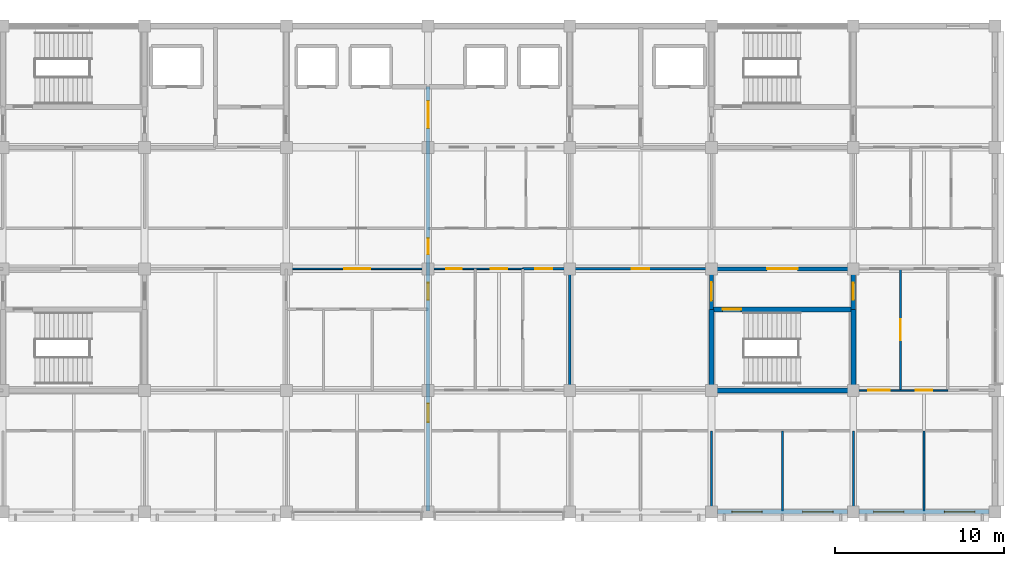
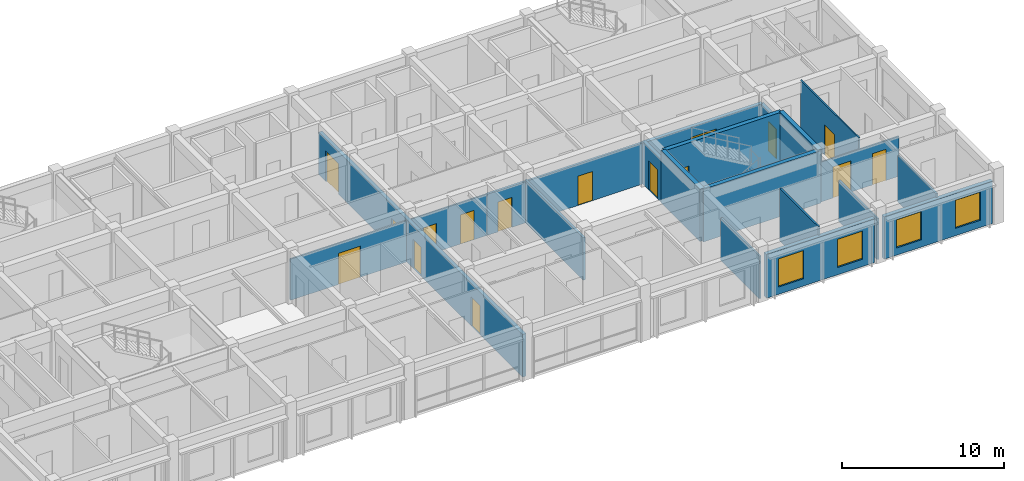
# One storey, part 14 of 19: 19 walls, 16 doors, 4 windows, 20 openings.
"""IFC4 building model written with IfcOpenShell, lengths in metres."""

import ifcopenshell
import ifcopenshell.guid

model = None  # the IFC model being written
_history = None  # IfcOwnerHistory: only IFC2X3 demands one
_inside = {}  # id of a spatial element -> (the spatial element, [elements in it])
_under = {}  # id of a project, library or spatial element -> (it, [spatial elements below it])
_declared = {}  # id of a project -> (the project, [libraries it declares])
_typed = {}  # id of a type object -> (the type object, [elements of that type])
_made_of = {}  # id of a material, layer set ... -> (it, [elements and type objects made of it])


def new_model(schema):
    """Start an empty IFC model of exactly this schema.

    Asked for "IFC4X3", IfcOpenShell would pick the latest addendum, in which some entities
    have other attributes; the version numbers below select the first issue.
    IFC2X3 requires an IfcOwnerHistory on every rooted entity: one is made here for all.
    """
    global model, _history
    if schema == "IFC4X3":
        model = ifcopenshell.file(schema_version=(4, 3, 0, 0))
    else:
        model = ifcopenshell.file(schema=schema)
    _inside.clear()
    _under.clear()
    _declared.clear()
    _typed.clear()
    _made_of.clear()
    _history = None
    if model.schema == "IFC2X3":
        org = make("IfcOrganization", Name="unknown")
        user = make(
            "IfcPersonAndOrganization",
            ThePerson=make("IfcPerson", FamilyName="unknown"),
            TheOrganization=org,
        )
        app = make(
            "IfcApplication",
            ApplicationDeveloper=org,
            Version="unknown",
            ApplicationFullName="unknown",
            ApplicationIdentifier="unknown",
        )
        _history = make(
            "IfcOwnerHistory",
            OwningUser=user,
            OwningApplication=app,
            ChangeAction="ADDED",
            CreationDate=0,
        )
    return model


def make(cls, **values):
    """One entity of the class cls with the attributes given. An attribute that is None is left unset."""
    return model.create_entity(
        cls, **{name: value for name, value in values.items() if value is not None}
    )


def rooted(cls, **values):
    """An entity with a GlobalId (a new one), such as an element, a storey or a relation."""
    return make(cls, GlobalId=ifcopenshell.guid.new(), OwnerHistory=_history, **values)


def si_unit(unit_type, name, prefix=None):
    """IfcSIUnit, for example si_unit("LENGTHUNIT", "METRE", prefix="MILLI")."""
    return make("IfcSIUnit", UnitType=unit_type, Prefix=prefix, Name=name)


def assignment(units):
    """IfcUnitAssignment: the units of a project."""
    return None if units is None else make("IfcUnitAssignment", Units=units)


def point(xyz):
    """IfcCartesianPoint."""
    return None if xyz is None else make("IfcCartesianPoint", Coordinates=xyz)


def direction(xyz):
    """IfcDirection."""
    return None if xyz is None else make("IfcDirection", DirectionRatios=xyz)


def frame(location, z_axis=None, x_axis=None):
    """IfcAxis2Placement3D, a coordinate frame: its origin and axes. An axis left out is left unset."""
    return make(
        "IfcAxis2Placement3D",
        Location=point(location),
        Axis=direction(z_axis),
        RefDirection=direction(x_axis),
    )


def frame_2d(location, x_axis=None):
    """IfcAxis2Placement2D, a coordinate frame in the plane: its origin and x axis."""
    return make(
        "IfcAxis2Placement2D", Location=point(location), RefDirection=direction(x_axis)
    )


def origin():
    """The frame at (0, 0, 0) with its axes left unset."""
    return frame((0.0, 0.0, 0.0))


def place(relative_to, where):
    """IfcLocalPlacement: puts the frame where relative to a parent placement (None: the world)."""
    return make(
        "IfcLocalPlacement", PlacementRelTo=relative_to, RelativePlacement=where
    )


def context(
    kind, dimensions, precision=None, world=None, true_north=None, identifier=None
):
    """IfcGeometricRepresentationContext, for example the 3D "Model" context."""
    return make(
        "IfcGeometricRepresentationContext",
        ContextIdentifier=identifier,
        ContextType=kind,
        CoordinateSpaceDimension=dimensions,
        Precision=precision,
        WorldCoordinateSystem=world,
        TrueNorth=true_north,
    )


def subcontext(parent, identifier, kind, view, scale=None):
    """IfcGeometricRepresentationSubContext, for example "Body" below "Model"."""
    return make(
        "IfcGeometricRepresentationSubContext",
        ContextIdentifier=identifier,
        ContextType=kind,
        ParentContext=parent,
        TargetScale=scale,
        TargetView=view,
    )


def project(units=None, contexts=None):
    """IfcProject with its units and contexts."""
    return rooted(
        "IfcProject",
        Name="project",
        RepresentationContexts=contexts,
        UnitsInContext=assignment(units),
    )


def spatial(cls, under=None, at=None, **own):
    """A site, building, storey or space (cls), placed at a placement, below another one or the project."""
    s = rooted(cls, ObjectPlacement=at, **own)
    if under is not None:
        _under.setdefault(under.id(), (under, []))[1].append(s)
    return s


def profile(cls, at=None, kind="AREA", **sizes):
    """A parametric profile (cls). Its sizes go by their IFC names, for example OverallWidth=200.0."""
    return make(cls, ProfileType=kind, Position=at, **sizes)


def rectangle(**sizes):
    """IfcRectangleProfileDef."""
    return profile("IfcRectangleProfileDef", **sizes)


def extrude(swept, where, along, depth):
    """IfcExtrudedAreaSolid: the profile swept, set in the frame where, extruded along a direction by depth."""
    return make(
        "IfcExtrudedAreaSolid",
        SweptArea=swept,
        Position=where,
        ExtrudedDirection=direction(along),
        Depth=depth,
    )


def shape(context_of_items, identifier, shape_type, items):
    """IfcShapeRepresentation: the items that make up one representation, for example the "Body"."""
    return make(
        "IfcShapeRepresentation",
        ContextOfItems=context_of_items,
        RepresentationIdentifier=identifier,
        RepresentationType=shape_type,
        Items=items,
    )


def material(Name=None, Category=None):
    """IfcMaterial."""
    return make("IfcMaterial", Name=Name, Category=Category)


def layer(
    of_material, thickness, ventilated=None, Name=None, Category=None, Priority=None
):
    """IfcMaterialLayer: one layer of a wall or slab, of a material (None: an air gap)."""
    return make(
        "IfcMaterialLayer",
        Material=of_material,
        LayerThickness=thickness,
        IsVentilated=ventilated,
        Name=Name,
        Category=Category,
        Priority=Priority,
    )


def layer_set(layers, Name=None):
    """IfcMaterialLayerSet."""
    return make("IfcMaterialLayerSet", MaterialLayers=layers, LayerSetName=Name)


def made_of(thing, what):
    """Note that an element or type object is made of a material, layer set ...; save() writes the relation."""
    if what is not None:
        _made_of.setdefault(what.id(), (what, []))[1].append(thing)
    return thing


def type_object(cls, material=None, **own):
    """A type object (cls), such as IfcWallType, which elements share."""
    return made_of(rooted(cls, **own), material)


def element(
    cls,
    number,
    at=None,
    inside=None,
    cuts=None,
    type_object=None,
    material=None,
    context=None,
    identifier="Body",
    shape_type=None,
    held_by="IfcProductDefinitionShape",
    body=None,
    shapes=None,
    **own,
):
    """One element of the class cls, such as IfcWall. Its Tag is "e" and its number.

    at: its placement. inside: the storey or other place that contains it. cuts: it is an
    opening in that element (IfcRelVoidsElement). A single representation is given by context,
    identifier, shape_type and body (its items); several are given by shapes. held_by: the class
    of the entity that holds the representations. save() writes the other relations.
    """
    e = rooted(cls, Tag="e%d" % number, ObjectPlacement=at, **own)
    if body is not None:
        shapes = [shape(context, identifier, shape_type, body)]
    if shapes is not None:
        e.Representation = make(held_by, Representations=shapes)
    if inside is not None:
        _inside.setdefault(inside.id(), (inside, []))[1].append(e)
    if cuts is not None:
        rooted(
            "IfcRelVoidsElement", RelatingBuildingElement=cuts, RelatedOpeningElement=e
        )
    if type_object is not None:
        _typed.setdefault(type_object.id(), (type_object, []))[1].append(e)
    return made_of(e, material)


def fill(opening, filler):
    """IfcRelFillsElement: the door or window that sits in an opening."""
    return rooted(
        "IfcRelFillsElement",
        RelatingOpeningElement=opening,
        RelatedBuildingElement=filler,
    )


def aggregate(whole, parts):
    """IfcRelAggregates: a whole, such as a stair, and the parts it consists of."""
    return rooted("IfcRelAggregates", RelatingObject=whole, RelatedObjects=parts)


def save(model, path):
    """Write the relations noted so far, then the file.

    IfcRelAggregates (storeys below a building ...), IfcRelContainedInSpatialStructure (elements
    in a storey), IfcRelDefinesByType, IfcRelAssociatesMaterial and IfcRelDeclares: one each for
    every whole, place, type object, material and project.
    """
    for whole, parts in _under.values():
        aggregate(whole, parts)
    for where, things in _inside.values():
        rooted(
            "IfcRelContainedInSpatialStructure",
            RelatedElements=things,
            RelatingStructure=where,
        )
    for kind, things in _typed.values():
        rooted("IfcRelDefinesByType", RelatedObjects=things, RelatingType=kind)
    for what, things in _made_of.values():
        rooted("IfcRelAssociatesMaterial", RelatedObjects=things, RelatingMaterial=what)
    for by, libraries in _declared.values():
        rooted("IfcRelDeclares", RelatingContext=by, RelatedDefinitions=libraries)
    model.write(path)


model = new_model("IFC4")

# Units and contexts
model_context = context("Model", 3, precision=1e-05, world=origin(), true_north=direction((0.0, 1.0)))
body_context = subcontext(model_context, "Body", "Model", "MODEL_VIEW")
ifc_project = project(units=[si_unit("LENGTHUNIT", "METRE"), si_unit("AREAUNIT", "SQUARE_METRE"), si_unit("VOLUMEUNIT", "CUBIC_METRE"), si_unit("PLANEANGLEUNIT", "RADIAN"), si_unit("MASSUNIT", "GRAM", prefix="KILO")], contexts=[model_context])

# Site, building, storey
site_placement = place(None, origin())
site = spatial("IfcSite", under=ifc_project, at=site_placement, CompositionType="ELEMENT")
building_placement = place(site_placement, origin())
building = spatial("IfcBuilding", under=site, at=building_placement, Name="Chengyuan Square Courthouse", CompositionType="ELEMENT")
storey_placement = place(building_placement, frame((0.0, 0.0, 56.10009765625)))
storey = spatial("IfcBuildingStorey", under=building, at=storey_placement, Name="L13", CompositionType="ELEMENT", Elevation=56.10009765625)

# Wall, openings, windows
ifc_material_1 = material(Name="Concrete C40", Category="concrete")
ifc_layer_1 = layer(ifc_material_1, 0.280029296875)
ifc_layer_set_1 = layer_set([ifc_layer_1], Name="Concrete C40")
wall_type_1 = type_object("IfcWallType", Name="WL-EW4", PredefinedType="STANDARD", material=ifc_layer_set_1)
wall_1_placement = place(storey_placement, frame((101.14501953125, 79.199951171875, 0.0), z_axis=(0.0, 0.0, 1.0), x_axis=(1.0, 0.0, 0.0)))
wall_1 = element("IfcWall", 1, at=wall_1_placement, inside=storey, type_object=wall_type_1, Name="Exterior Wall WL-L13-E501", PredefinedType="STANDARD", context=body_context, shape_type="SweptSolid", body=[
    extrude(rectangle(XDim=7.7099609375, YDim=0.280029296875, at=frame_2d((3.85498046875, 0.0))), origin(), (0.0, 0.0, 1.0), 3.309814453125),
])
opening_1_placement = place(wall_1_placement, frame((0.85498046875, 0.0, 0.550048828125)))
opening_1 = element("IfcOpeningElement", 2, at=opening_1_placement, cuts=wall_1, Name="Opening WN-232", PredefinedType="OPENING", context=body_context, shape_type="SweptSolid", body=[
    extrude(rectangle(XDim=1.800048828125, YDim=2.1201171875, at=frame_2d((0.89990234375, 1.06005859375))), frame((0.0, 0.152099609375, 0.0), z_axis=(0.0, -1.0, 0.0), x_axis=(1.0, 0.0, 0.0)), (0.0, 0.0, 1.0), 0.303955078125),
])
opening_2_placement = place(wall_1_placement, frame((5.054931640625, 0.0, 0.550048828125)))
opening_2 = element("IfcOpeningElement", 3, at=opening_2_placement, cuts=wall_1, Name="Opening WN-233", PredefinedType="OPENING", context=body_context, shape_type="SweptSolid", body=[
    extrude(rectangle(XDim=1.800048828125, YDim=2.1201171875, at=frame_2d((0.89990234375, 1.06005859375))), frame((0.0, 0.152099609375, 0.0), z_axis=(0.0, -1.0, 0.0), x_axis=(1.0, 0.0, 0.0)), (0.0, 0.0, 1.0), 0.303955078125),
])
ifc_material_2 = material(Name="Thermally Broken Aluminium Triple Low-E Window", Category="aluminium")
window_type = type_object("IfcWindowType", Name="WT-36", PartitioningType="SINGLE_PANEL", PredefinedType="WINDOW", material=ifc_material_2)
window_1_placement = place(opening_1_placement, origin())
window_1 = element("IfcWindow", 4, at=window_1_placement, inside=storey, type_object=window_type, Name="Facade Window WN-232", OverallHeight=2.1201171875, OverallWidth=1.800048828125, PartitioningType="SINGLE_PANEL", PredefinedType="WINDOW", context=body_context, shape_type="SweptSolid", body=[
    extrude(rectangle(XDim=1.800048828125, YDim=2.1201171875, at=frame_2d((0.89990234375, 1.06005859375))), frame((0.0, 0.030029296875, 0.0), z_axis=(0.0, -1.0, 0.0), x_axis=(1.0, 0.0, 0.0)), (0.0, 0.0, 1.0), 0.06005859375),
])
fill(opening_1, window_1)
window_2_placement = place(opening_2_placement, origin())
window_2 = element("IfcWindow", 5, at=window_2_placement, inside=storey, type_object=window_type, Name="Facade Window WN-233", OverallHeight=2.1201171875, OverallWidth=1.800048828125, PartitioningType="SINGLE_PANEL", PredefinedType="WINDOW", context=body_context, shape_type="SweptSolid", body=[
    extrude(rectangle(XDim=1.800048828125, YDim=2.1201171875, at=frame_2d((0.89990234375, 1.06005859375))), frame((0.0, 0.030029296875, 0.0), z_axis=(0.0, -1.0, 0.0), x_axis=(1.0, 0.0, 0.0)), (0.0, 0.0, 1.0), 0.06005859375),
])
fill(opening_2, window_2)

wall_2_placement = place(storey_placement, frame((109.544921875, 79.199951171875, 0.0), z_axis=(0.0, 0.0, 1.0), x_axis=(1.0, 0.0, 0.0)))
wall_2 = element("IfcWall", 6, at=wall_2_placement, inside=storey, type_object=wall_type_1, Name="Exterior Wall WL-L13-E503", PredefinedType="STANDARD", context=body_context, shape_type="SweptSolid", body=[
    extrude(rectangle(XDim=7.7099609375, YDim=0.280029296875, at=frame_2d((3.85498046875, 0.0))), origin(), (0.0, 0.0, 1.0), 3.199951171875),
])
opening_3_placement = place(wall_2_placement, frame((0.85498046875, 0.0, 0.550048828125)))
opening_3 = element("IfcOpeningElement", 7, at=opening_3_placement, cuts=wall_2, Name="Opening WN-234", PredefinedType="OPENING", context=body_context, shape_type="SweptSolid", body=[
    extrude(rectangle(XDim=1.800048828125, YDim=2.1201171875, at=frame_2d((0.89990234375, 1.06005859375))), frame((0.0, 0.152099609375, 0.0), z_axis=(0.0, -1.0, 0.0), x_axis=(1.0, 0.0, 0.0)), (0.0, 0.0, 1.0), 0.303955078125),
])
opening_4_placement = place(wall_2_placement, frame((5.054931640625, 0.0, 0.550048828125)))
opening_4 = element("IfcOpeningElement", 8, at=opening_4_placement, cuts=wall_2, Name="Opening WN-235", PredefinedType="OPENING", context=body_context, shape_type="SweptSolid", body=[
    extrude(rectangle(XDim=1.800048828125, YDim=2.1201171875, at=frame_2d((0.89990234375, 1.06005859375))), frame((0.0, 0.152099609375, 0.0), z_axis=(0.0, -1.0, 0.0), x_axis=(1.0, 0.0, 0.0)), (0.0, 0.0, 1.0), 0.303955078125),
])
window_3_placement = place(opening_3_placement, origin())
window_3 = element("IfcWindow", 9, at=window_3_placement, inside=storey, type_object=window_type, Name="Facade Window WN-234", OverallHeight=2.1201171875, OverallWidth=1.800048828125, PartitioningType="SINGLE_PANEL", PredefinedType="WINDOW", context=body_context, shape_type="SweptSolid", body=[
    extrude(rectangle(XDim=1.800048828125, YDim=2.1201171875, at=frame_2d((0.89990234375, 1.06005859375))), frame((0.0, 0.030029296875, 0.0), z_axis=(0.0, -1.0, 0.0), x_axis=(1.0, 0.0, 0.0)), (0.0, 0.0, 1.0), 0.06005859375),
])
fill(opening_3, window_3)
window_4_placement = place(opening_4_placement, origin())
window_4 = element("IfcWindow", 10, at=window_4_placement, inside=storey, type_object=window_type, Name="Facade Window WN-235", OverallHeight=2.1201171875, OverallWidth=1.800048828125, PartitioningType="SINGLE_PANEL", PredefinedType="WINDOW", context=body_context, shape_type="SweptSolid", body=[
    extrude(rectangle(XDim=1.800048828125, YDim=2.1201171875, at=frame_2d((0.89990234375, 1.06005859375))), frame((0.0, 0.030029296875, 0.0), z_axis=(0.0, -1.0, 0.0), x_axis=(1.0, 0.0, 0.0)), (0.0, 0.0, 1.0), 0.06005859375),
])
fill(opening_4, window_4)

# Wall, opening, door
ifc_layer_2 = layer(ifc_material_1, 0.25)
ifc_layer_set_2 = layer_set([ifc_layer_2], Name="Concrete C40")
wall_type_2 = type_object("IfcWallType", Name="WL-FW1", PredefinedType="STANDARD", material=ifc_layer_set_2)
wall_3_placement = place(storey_placement, frame((100.800048828125, 93.60009765625, 0.0), z_axis=(0.0, 0.0, 1.0), x_axis=(1.0, 0.0, 0.0)))
wall_3 = element("IfcWall", 11, at=wall_3_placement, inside=storey, type_object=wall_type_2, Name="Interior Wall WL-L13-I3788", PredefinedType="STANDARD", context=body_context, shape_type="SweptSolid", body=[
    extrude(rectangle(XDim=8.39990234375, YDim=0.25, at=frame_2d((4.199951171875, 0.0))), origin(), (0.0, 0.0, 1.0), 3.10986328125),
])
opening_5_placement = place(wall_3_placement, frame((3.300048828125, 0.0, 0.0)))
opening_5 = element("IfcOpeningElement", 12, at=opening_5_placement, cuts=wall_3, Name="Opening DR-3136", PredefinedType="OPENING", context=body_context, shape_type="SweptSolid", body=[
    extrude(rectangle(XDim=1.800048828125, YDim=2.35009765625, at=frame_2d((0.89990234375, 1.175048828125))), frame((0.0, 0.136962890625, 0.0), z_axis=(0.0, -1.0, 0.0), x_axis=(1.0, 0.0, 0.0)), (0.0, 0.0, 1.0), 0.27392578125),
])
ifc_material_3 = material(Name="Steel Q235B Glazed Fire Door", Category="steel")
door_type_1 = type_object("IfcDoorType", Name="DT-18", OperationType="DOUBLE_DOOR_SINGLE_SWING", PredefinedType="DOOR", material=ifc_material_3)
door_1_placement = place(opening_5_placement, frame((1.800048828125, 0.0, 0.0), z_axis=(0.0, 0.0, 1.0), x_axis=(-1.0, 0.0, 0.0)))
door_1 = element("IfcDoor", 13, at=door_1_placement, inside=storey, type_object=door_type_1, Name="Interior Door DR-3136", OperationType="DOUBLE_DOOR_SINGLE_SWING", OverallHeight=2.35009765625, OverallWidth=1.800048828125, PredefinedType="DOOR", context=body_context, shape_type="SweptSolid", body=[
    extrude(rectangle(XDim=1.800048828125, YDim=2.35009765625, at=frame_2d((0.89990234375, 1.175048828125))), frame((0.0, 0.02490234375, 0.0), z_axis=(0.0, -1.0, 0.0), x_axis=(1.0, 0.0, 0.0)), (0.0, 0.0, 1.0), 0.050048828125),
])
fill(opening_5, door_1)

# Wall, openings, doors
wall_4_placement = place(storey_placement, frame((84.0, 79.239990234375, 0.0), z_axis=(0.0, 0.0, 1.0), x_axis=(0.0, 1.0, 0.0)))
wall_4 = element("IfcWall", 14, at=wall_4_placement, inside=storey, type_object=wall_type_2, Name="Interior Wall WL-L13-I3860", PredefinedType="STANDARD", context=body_context, shape_type="SweptSolid", body=[
    extrude(rectangle(XDim=25.159912109375, YDim=0.25, at=frame_2d((12.580078125, 0.0))), origin(), (0.0, 0.0, 1.0), 3.2099609375),
])
opening_6_placement = place(wall_4_placement, frame((22.695068359375, 0.0, 0.0)))
opening_6 = element("IfcOpeningElement", 15, at=opening_6_placement, cuts=wall_4, Name="Opening DR-3147", PredefinedType="OPENING", context=body_context, shape_type="SweptSolid", body=[
    extrude(rectangle(XDim=1.60009765625, YDim=2.300048828125, at=frame_2d((0.800048828125, 1.14990234375))), frame((0.0, 0.136962890625, 0.0), z_axis=(0.0, -1.0, 0.0), x_axis=(1.0, 0.0, 0.0)), (0.0, 0.0, 1.0), 0.27392578125),
])
opening_7_placement = place(wall_4_placement, frame((12.52490234375, 0.0, 0.0)))
opening_7 = element("IfcOpeningElement", 16, at=opening_7_placement, cuts=wall_4, Name="Opening DR-3165", PredefinedType="OPENING", context=body_context, shape_type="SweptSolid", body=[
    extrude(rectangle(XDim=1.0, YDim=2.199951171875, at=frame_2d((0.5, 1.10009765625))), frame((0.0, 0.136962890625, 0.0), z_axis=(0.0, -1.0, 0.0), x_axis=(1.0, 0.0, 0.0)), (0.0, 0.0, 1.0), 0.27392578125),
])
opening_8_placement = place(wall_4_placement, frame((15.219970703125, 0.0, 0.0)))
opening_8 = element("IfcOpeningElement", 17, at=opening_8_placement, cuts=wall_4, Name="Opening DR-3166", PredefinedType="OPENING", context=body_context, shape_type="SweptSolid", body=[
    extrude(rectangle(XDim=0.949951171875, YDim=2.14990234375, at=frame_2d((0.47509765625, 1.074951171875))), frame((0.0, 0.136962890625, 0.0), z_axis=(0.0, -1.0, 0.0), x_axis=(1.0, 0.0, 0.0)), (0.0, 0.0, 1.0), 0.27392578125),
])
opening_9_placement = place(wall_4_placement, frame((5.27490234375, 0.0, 0.0)))
opening_9 = element("IfcOpeningElement", 18, at=opening_9_placement, cuts=wall_4, Name="Opening DR-3215", PredefinedType="OPENING", context=body_context, shape_type="SweptSolid", body=[
    extrude(rectangle(XDim=1.10009765625, YDim=2.199951171875, at=frame_2d((0.550048828125, 1.10009765625))), frame((0.0, 0.136962890625, 0.0), z_axis=(0.0, -1.0, 0.0), x_axis=(1.0, 0.0, 0.0)), (0.0, 0.0, 1.0), 0.27392578125),
])
ifc_material_4 = material(Name="Steel Q235B Fire Door", Category="steel")
door_type_2 = type_object("IfcDoorType", Name="DT-10", OperationType="NOTDEFINED", PredefinedType="DOOR", material=ifc_material_4)
door_2_placement = place(opening_9_placement, origin())
door_2 = element("IfcDoor", 19, at=door_2_placement, inside=storey, type_object=door_type_2, Name="Interior Door DR-3215", OperationType="SINGLE_SWING_RIGHT", OverallHeight=2.199951171875, OverallWidth=1.10009765625, PredefinedType="DOOR", context=body_context, shape_type="SweptSolid", body=[
    extrude(rectangle(XDim=1.10009765625, YDim=2.199951171875, at=frame_2d((0.550048828125, 1.10009765625))), frame((0.0, 0.02490234375, 0.0), z_axis=(0.0, -1.0, 0.0), x_axis=(1.0, 0.0, 0.0)), (0.0, 0.0, 1.0), 0.050048828125),
])
fill(opening_9, door_2)
door_type_3 = type_object("IfcDoorType", Name="DT-11", OperationType="NOTDEFINED", PredefinedType="DOOR", material=ifc_material_4)
door_3_placement = place(opening_7_placement, origin())
door_3 = element("IfcDoor", 20, at=door_3_placement, inside=storey, type_object=door_type_3, Name="Interior Door DR-3165", OperationType="SINGLE_SWING_RIGHT", OverallHeight=2.199951171875, OverallWidth=1.0, PredefinedType="DOOR", context=body_context, shape_type="SweptSolid", body=[
    extrude(rectangle(XDim=1.0, YDim=2.199951171875, at=frame_2d((0.5, 1.10009765625))), frame((0.0, 0.02490234375, 0.0), z_axis=(0.0, -1.0, 0.0), x_axis=(1.0, 0.0, 0.0)), (0.0, 0.0, 1.0), 0.050048828125),
])
fill(opening_7, door_3)
door_type_4 = type_object("IfcDoorType", Name="DT-12", OperationType="NOTDEFINED", PredefinedType="DOOR", material=ifc_material_4)
door_4_placement = place(opening_8_placement, origin())
door_4 = element("IfcDoor", 21, at=door_4_placement, inside=storey, type_object=door_type_4, Name="Interior Door DR-3166", OperationType="SINGLE_SWING_LEFT", OverallHeight=2.14990234375, OverallWidth=0.949951171875, PredefinedType="DOOR", context=body_context, shape_type="SweptSolid", body=[
    extrude(rectangle(XDim=0.949951171875, YDim=2.14990234375, at=frame_2d((0.47509765625, 1.074951171875))), frame((0.0, 0.02490234375, 0.0), z_axis=(0.0, -1.0, 0.0), x_axis=(1.0, 0.0, 0.0)), (0.0, 0.0, 1.0), 0.050048828125),
])
fill(opening_8, door_4)
door_type_5 = type_object("IfcDoorType", Name="DT-17", OperationType="DOUBLE_DOOR_SINGLE_SWING", PredefinedType="DOOR", material=ifc_material_3)
door_5_placement = place(opening_6_placement, frame((1.60009765625, 0.0, 0.0), z_axis=(0.0, 0.0, 1.0), x_axis=(-1.0, 0.0, 0.0)))
door_5 = element("IfcDoor", 22, at=door_5_placement, inside=storey, type_object=door_type_5, Name="Interior Door DR-3147", OperationType="DOUBLE_DOOR_SINGLE_SWING", OverallHeight=2.300048828125, OverallWidth=1.60009765625, PredefinedType="DOOR", context=body_context, shape_type="SweptSolid", body=[
    extrude(rectangle(XDim=1.60009765625, YDim=2.300048828125, at=frame_2d((0.800048828125, 1.14990234375))), frame((0.0, 0.02490234375, 0.0), z_axis=(0.0, -1.0, 0.0), x_axis=(1.0, 0.0, 0.0)), (0.0, 0.0, 1.0), 0.050048828125),
])
fill(opening_6, door_5)

# Wall, opening, door
wall_5_placement = place(storey_placement, frame((100.800048828125, 91.199951171875, 0.0), z_axis=(0.0, 0.0, 1.0), x_axis=(0.0, 1.0, 0.0)))
wall_5 = element("IfcWall", 23, at=wall_5_placement, inside=storey, type_object=wall_type_2, Name="Interior Wall WL-L13-I3882", PredefinedType="STANDARD", context=body_context, shape_type="SweptSolid", body=[
    extrude(rectangle(XDim=2.400146484375, YDim=0.25, at=frame_2d((1.2001953125, 0.0))), origin(), (0.0, 0.0, 1.0), 3.2099609375),
])
opening_10_placement = place(wall_5_placement, frame((0.514892578125, 0.0, 0.0)))
opening_10 = element("IfcOpeningElement", 24, at=opening_10_placement, cuts=wall_5, Name="Opening DR-3137", PredefinedType="OPENING", context=body_context, shape_type="SweptSolid", body=[
    extrude(rectangle(XDim=1.10009765625, YDim=2.199951171875, at=frame_2d((0.550048828125, 1.10009765625))), frame((0.0, 0.136962890625, 0.0), z_axis=(0.0, -1.0, 0.0), x_axis=(1.0, 0.0, 0.0)), (0.0, 0.0, 1.0), 0.27392578125),
])
door_6_placement = place(opening_10_placement, origin())
door_6 = element("IfcDoor", 25, at=door_6_placement, inside=storey, type_object=door_type_2, Name="Interior Door DR-3137", OperationType="SINGLE_SWING_RIGHT", OverallHeight=2.199951171875, OverallWidth=1.10009765625, PredefinedType="DOOR", context=body_context, shape_type="SweptSolid", body=[
    extrude(rectangle(XDim=1.10009765625, YDim=2.199951171875, at=frame_2d((0.550048828125, 1.10009765625))), frame((0.0, 0.02490234375, 0.0), z_axis=(0.0, -1.0, 0.0), x_axis=(1.0, 0.0, 0.0)), (0.0, 0.0, 1.0), 0.050048828125),
])
fill(opening_10, door_6)

wall_6_placement = place(storey_placement, frame((109.199951171875, 91.199951171875, 0.0), z_axis=(0.0, 0.0, 1.0), x_axis=(0.0, 1.0, 0.0)))
wall_6 = element("IfcWall", 26, at=wall_6_placement, inside=storey, type_object=wall_type_2, Name="Interior Wall WL-L13-I3890", PredefinedType="STANDARD", context=body_context, shape_type="SweptSolid", body=[
    extrude(rectangle(XDim=2.400146484375, YDim=0.25, at=frame_2d((1.2001953125, 0.0))), origin(), (0.0, 0.0, 1.0), 3.099853515625),
])
opening_11_placement = place(wall_6_placement, frame((0.56494140625, 0.0, 0.0)))
opening_11 = element("IfcOpeningElement", 27, at=opening_11_placement, cuts=wall_6, Name="Opening DR-3138", PredefinedType="OPENING", context=body_context, shape_type="SweptSolid", body=[
    extrude(rectangle(XDim=1.0, YDim=2.199951171875, at=frame_2d((0.5, 1.10009765625))), frame((0.0, 0.136962890625, 0.0), z_axis=(0.0, -1.0, 0.0), x_axis=(1.0, 0.0, 0.0)), (0.0, 0.0, 1.0), 0.27392578125),
])
door_7_placement = place(opening_11_placement, origin())
door_7 = element("IfcDoor", 28, at=door_7_placement, inside=storey, type_object=door_type_3, Name="Interior Door DR-3138", OperationType="SINGLE_SWING_LEFT", OverallHeight=2.199951171875, OverallWidth=1.0, PredefinedType="DOOR", context=body_context, shape_type="SweptSolid", body=[
    extrude(rectangle(XDim=1.0, YDim=2.199951171875, at=frame_2d((0.5, 1.10009765625))), frame((0.0, 0.02490234375, 0.0), z_axis=(0.0, -1.0, 0.0), x_axis=(1.0, 0.0, 0.0)), (0.0, 0.0, 1.0), 0.050048828125),
])
fill(opening_11, door_7)

# Wall, openings, doors
ifc_material_5 = material(Name="Deliberation Room Sound-Insulated Partition")
ifc_layer_3 = layer(ifc_material_5, 0.14990234375)
ifc_layer_set_3 = layer_set([ifc_layer_3], Name="Deliberation Room Sound-Insulated Partition")
wall_type_3 = type_object("IfcWallType", Name="WL-PT3", PredefinedType="STANDARD", material=ifc_layer_set_3)
wall_7_placement = place(storey_placement, frame((89.60009765625, 93.60009765625, 0.0), z_axis=(0.0, 0.0, 1.0), x_axis=(1.0, 0.0, 0.0)))
wall_7 = element("IfcWall", 29, at=wall_7_placement, inside=storey, type_object=wall_type_3, Name="Interior Wall WL-L13-I3787", PredefinedType="STANDARD", context=body_context, shape_type="SweptSolid", body=[
    extrude(rectangle(XDim=11.199951171875, YDim=0.14990234375, at=frame_2d((5.60009765625, 0.0))), origin(), (0.0, 0.0, 1.0), 3.10986328125),
])
opening_12_placement = place(wall_7_placement, frame((0.764892578125, 0.0, 0.0)))
opening_12 = element("IfcOpeningElement", 30, at=opening_12_placement, cuts=wall_7, Name="Opening DR-3187", PredefinedType="OPENING", context=body_context, shape_type="SweptSolid", body=[
    extrude(rectangle(XDim=1.0, YDim=2.25, at=frame_2d((0.5, 1.125))), frame((0.0, 0.0869140625, 0.0), z_axis=(0.0, -1.0, 0.0), x_axis=(1.0, 0.0, 0.0)), (0.0, 0.0, 1.0), 0.173828125),
])
opening_13_placement = place(wall_7_placement, frame((6.47998046875, 0.0, 0.0)))
opening_13 = element("IfcOpeningElement", 31, at=opening_13_placement, cuts=wall_7, Name="Opening DR-3188", PredefinedType="OPENING", context=body_context, shape_type="SweptSolid", body=[
    extrude(rectangle(XDim=1.0400390625, YDim=2.199951171875, at=frame_2d((0.52001953125, 1.10009765625))), frame((0.0, 0.0869140625, 0.0), z_axis=(0.0, -1.0, 0.0), x_axis=(1.0, 0.0, 0.0)), (0.0, 0.0, 1.0), 0.173828125),
])
ifc_material_6 = material(Name="Acoustic Solid-Core Timber Door", Category="wood")
door_type_6 = type_object("IfcDoorType", Name="DT-31", OperationType="NOTDEFINED", PredefinedType="DOOR", material=ifc_material_6)
door_8_placement = place(opening_12_placement, origin())
door_8 = element("IfcDoor", 32, at=door_8_placement, inside=storey, type_object=door_type_6, Name="Interior Door DR-3187", OperationType="SINGLE_SWING_RIGHT", OverallHeight=2.25, OverallWidth=1.0, PredefinedType="DOOR", context=body_context, shape_type="SweptSolid", body=[
    extrude(rectangle(XDim=1.0, YDim=2.25, at=frame_2d((0.5, 1.125))), frame((0.0, 0.02490234375, 0.0), z_axis=(0.0, -1.0, 0.0), x_axis=(1.0, 0.0, 0.0)), (0.0, 0.0, 1.0), 0.050048828125),
])
fill(opening_12, door_8)
door_type_7 = type_object("IfcDoorType", Name="DT-32", OperationType="NOTDEFINED", PredefinedType="DOOR", material=ifc_material_6)
door_9_placement = place(opening_13_placement, origin())
door_9 = element("IfcDoor", 33, at=door_9_placement, inside=storey, type_object=door_type_7, Name="Interior Door DR-3188", OperationType="SINGLE_SWING_LEFT", OverallHeight=2.199951171875, OverallWidth=1.0400390625, PredefinedType="DOOR", context=body_context, shape_type="SweptSolid", body=[
    extrude(rectangle(XDim=1.0400390625, YDim=2.199951171875, at=frame_2d((0.52001953125, 1.10009765625))), frame((0.0, 0.02490234375, 0.0), z_axis=(0.0, -1.0, 0.0), x_axis=(1.0, 0.0, 0.0)), (0.0, 0.0, 1.0), 0.050048828125),
])
fill(opening_13, door_9)

# Walls
wall_8_placement = place(storey_placement, frame((92.39990234375, 86.39990234375, 0.0), z_axis=(0.0, 0.0, 1.0), x_axis=(0.0, 1.0, 0.0)))
element("IfcWall", 34, at=wall_8_placement, inside=storey, type_object=wall_type_3, Name="Interior Wall WL-L13-I3871", PredefinedType="STANDARD", context=body_context, shape_type="SweptSolid", body=[
    extrude(rectangle(XDim=7.2001953125, YDim=0.14990234375, at=frame_2d((3.60009765625, 0.0))), origin(), (0.0, 0.0, 1.0), 3.2099609375),
])
ifc_material_7 = material(Name="Judges Chambers Gypsum Stud Partition")
ifc_layer_4 = layer(ifc_material_7, 0.1201171875)
ifc_layer_set_4 = layer_set([ifc_layer_4], Name="Judges Chambers Gypsum Stud Partition")
wall_type_4 = type_object("IfcWallType", Name="WL-PT5", PredefinedType="STANDARD", material=ifc_layer_set_4)
wall_9_placement = place(storey_placement, frame((100.800048828125, 79.239990234375, 0.0), z_axis=(0.0, 0.0, 1.0), x_axis=(0.0, 1.0, 0.0)))
element("IfcWall", 35, at=wall_9_placement, inside=storey, type_object=wall_type_4, Name="Interior Wall WL-L13-I3880", PredefinedType="STANDARD", context=body_context, shape_type="SweptSolid", body=[
    extrude(rectangle(XDim=4.760009765625, YDim=0.1201171875, at=frame_2d((2.3798828125, 0.0))), origin(), (0.0, 0.0, 1.0), 3.2099609375),
])
wall_10_placement = place(storey_placement, frame((105.0, 79.239990234375, 0.0), z_axis=(0.0, 0.0, 1.0), x_axis=(0.0, 1.0, 0.0)))
element("IfcWall", 36, at=wall_10_placement, inside=storey, type_object=wall_type_4, Name="Interior Wall WL-L13-I3887", PredefinedType="STANDARD", context=body_context, shape_type="SweptSolid", body=[
    extrude(rectangle(XDim=4.760009765625, YDim=0.1201171875, at=frame_2d((2.3798828125, 0.0))), origin(), (0.0, 0.0, 1.0), 3.9599609375),
])
wall_11_placement = place(storey_placement, frame((109.199951171875, 79.239990234375, 0.0), z_axis=(0.0, 0.0, 1.0), x_axis=(0.0, 1.0, 0.0)))
element("IfcWall", 37, at=wall_11_placement, inside=storey, type_object=wall_type_4, Name="Interior Wall WL-L13-I3888", PredefinedType="STANDARD", context=body_context, shape_type="SweptSolid", body=[
    extrude(rectangle(XDim=4.760009765625, YDim=0.1201171875, at=frame_2d((2.3798828125, 0.0))), origin(), (0.0, 0.0, 1.0), 3.099853515625),
])
wall_12_placement = place(storey_placement, frame((113.39990234375, 79.239990234375, 0.0), z_axis=(0.0, 0.0, 1.0), x_axis=(0.0, 1.0, 0.0)))
element("IfcWall", 38, at=wall_12_placement, inside=storey, type_object=wall_type_4, Name="Interior Wall WL-L13-I3896", PredefinedType="STANDARD", context=body_context, shape_type="SweptSolid", body=[
    extrude(rectangle(XDim=4.760009765625, YDim=0.1201171875, at=frame_2d((2.3798828125, 0.0))), origin(), (0.0, 0.0, 1.0), 3.5),
])

# Wall, openings, doors
ifc_material_8 = material(Name="Gypsum Plasterboard Acoustic Stud Partition")
ifc_layer_5 = layer(ifc_material_8, 0.10009765625)
ifc_layer_set_5 = layer_set([ifc_layer_5], Name="Gypsum Plasterboard Acoustic Stud Partition")
wall_type_5 = type_object("IfcWallType", Name="WL-PT6", PredefinedType="STANDARD", material=ifc_layer_set_5)
wall_13_placement = place(storey_placement, frame((109.199951171875, 86.39990234375, 0.0), z_axis=(0.0, 0.0, 1.0), x_axis=(1.0, 0.0, 0.0)))
wall_13 = element("IfcWall", 39, at=wall_13_placement, inside=storey, type_object=wall_type_5, Name="Interior Wall WL-L13-I3777", PredefinedType="STANDARD", context=body_context, shape_type="SweptSolid", body=[
    extrude(rectangle(XDim=5.60009765625, YDim=0.10009765625, at=frame_2d((2.800048828125, 0.0))), origin(), (0.0, 0.0, 1.0), 3.0),
])
opening_14_placement = place(wall_13_placement, frame((0.89501953125, 0.0, 0.0)))
opening_14 = element("IfcOpeningElement", 40, at=opening_14_placement, cuts=wall_13, Name="Opening DR-3211", PredefinedType="OPENING", context=body_context, shape_type="SweptSolid", body=[
    extrude(rectangle(XDim=1.280029296875, YDim=2.35009765625, at=frame_2d((0.64013671875, 1.175048828125))), frame((0.0, 0.06201171875, 0.0), z_axis=(0.0, -1.0, 0.0), x_axis=(1.0, 0.0, 0.0)), (0.0, 0.0, 1.0), 0.1240234375),
])
opening_15_placement = place(wall_13_placement, frame((3.7099609375, 0.0, 0.0)))
opening_15 = element("IfcOpeningElement", 41, at=opening_15_placement, cuts=wall_13, Name="Opening DR-3213", PredefinedType="OPENING", context=body_context, shape_type="SweptSolid", body=[
    extrude(rectangle(XDim=0.97998046875, YDim=2.35009765625, at=frame_2d((0.489990234375, 1.175048828125))), frame((0.0, 0.06201171875, 0.0), z_axis=(0.0, -1.0, 0.0), x_axis=(1.0, 0.0, 0.0)), (0.0, 0.0, 1.0), 0.1240234375),
])
door_type_8 = type_object("IfcDoorType", Name="DT-38", OperationType="NOTDEFINED", PredefinedType="DOOR", material=ifc_material_6)
door_10_placement = place(opening_14_placement, origin())
door_10 = element("IfcDoor", 42, at=door_10_placement, inside=storey, type_object=door_type_8, Name="Interior Door DR-3211", OperationType="SINGLE_SWING_RIGHT", OverallHeight=2.35009765625, OverallWidth=1.280029296875, PredefinedType="DOOR", context=body_context, shape_type="SweptSolid", body=[
    extrude(rectangle(XDim=1.280029296875, YDim=2.35009765625, at=frame_2d((0.64013671875, 1.175048828125))), frame((0.0, 0.02490234375, 0.0), z_axis=(0.0, -1.0, 0.0), x_axis=(1.0, 0.0, 0.0)), (0.0, 0.0, 1.0), 0.050048828125),
])
fill(opening_14, door_10)
door_type_9 = type_object("IfcDoorType", Name="DT-40", OperationType="NOTDEFINED", PredefinedType="DOOR", material=ifc_material_6)
door_11_placement = place(opening_15_placement, origin())
door_11 = element("IfcDoor", 43, at=door_11_placement, inside=storey, type_object=door_type_9, Name="Interior Door DR-3213", OperationType="SINGLE_SWING_RIGHT", OverallHeight=2.35009765625, OverallWidth=0.97998046875, PredefinedType="DOOR", context=body_context, shape_type="SweptSolid", body=[
    extrude(rectangle(XDim=0.97998046875, YDim=2.35009765625, at=frame_2d((0.489990234375, 1.175048828125))), frame((0.0, 0.02490234375, 0.0), z_axis=(0.0, -1.0, 0.0), x_axis=(1.0, 0.0, 0.0)), (0.0, 0.0, 1.0), 0.050048828125),
])
fill(opening_15, door_11)

wall_14_placement = place(storey_placement, frame((75.60009765625, 93.60009765625, 0.0), z_axis=(0.0, 0.0, 1.0), x_axis=(1.0, 0.0, 0.0)))
wall_14 = element("IfcWall", 44, at=wall_14_placement, inside=storey, type_object=wall_type_5, Name="Interior Wall WL-L13-I3786", PredefinedType="STANDARD", context=body_context, shape_type="SweptSolid", body=[
    extrude(rectangle(XDim=14.0, YDim=0.10009765625, at=frame_2d((7.0, 0.0))), origin(), (0.0, 0.0, 1.0), 3.10986328125),
])
opening_16_placement = place(wall_14_placement, frame((3.425048828125, 0.0, 0.0)))
opening_16 = element("IfcOpeningElement", 45, at=opening_16_placement, cuts=wall_14, Name="Opening DR-3163", PredefinedType="OPENING", context=body_context, shape_type="SweptSolid", body=[
    extrude(rectangle(XDim=1.550048828125, YDim=2.35009765625, at=frame_2d((0.77490234375, 1.175048828125))), frame((0.0, 0.06201171875, 0.0), z_axis=(0.0, -1.0, 0.0), x_axis=(1.0, 0.0, 0.0)), (0.0, 0.0, 1.0), 0.1240234375),
])
opening_17_placement = place(wall_14_placement, frame((9.47509765625, 0.0, 0.0)))
opening_17 = element("IfcOpeningElement", 46, at=opening_17_placement, cuts=wall_14, Name="Opening DR-3185", PredefinedType="OPENING", context=body_context, shape_type="SweptSolid", body=[
    extrude(rectangle(XDim=0.919921875, YDim=2.14990234375, at=frame_2d((0.4599609375, 1.074951171875))), frame((0.0, 0.06201171875, 0.0), z_axis=(0.0, -1.0, 0.0), x_axis=(1.0, 0.0, 0.0)), (0.0, 0.0, 1.0), 0.1240234375),
])
opening_18_placement = place(wall_14_placement, frame((12.1201171875, 0.0, 0.0)))
opening_18 = element("IfcOpeningElement", 47, at=opening_18_placement, cuts=wall_14, Name="Opening DR-3186", PredefinedType="OPENING", context=body_context, shape_type="SweptSolid", body=[
    extrude(rectangle(XDim=0.9599609375, YDim=2.199951171875, at=frame_2d((0.47998046875, 1.10009765625))), frame((0.0, 0.06201171875, 0.0), z_axis=(0.0, -1.0, 0.0), x_axis=(1.0, 0.0, 0.0)), (0.0, 0.0, 1.0), 0.1240234375),
])
ifc_material_9 = material(Name="Acoustic Larch Veneer Double Door")
door_type_10 = type_object("IfcDoorType", Name="DT-23", OperationType="DOUBLE_DOOR_SINGLE_SWING", PredefinedType="DOOR", material=ifc_material_9)
door_12_placement = place(opening_16_placement, frame((1.550048828125, 0.0, 0.0), z_axis=(0.0, 0.0, 1.0), x_axis=(-1.0, 0.0, 0.0)))
door_12 = element("IfcDoor", 48, at=door_12_placement, inside=storey, type_object=door_type_10, Name="Interior Door DR-3163", OperationType="DOUBLE_DOOR_SINGLE_SWING", OverallHeight=2.35009765625, OverallWidth=1.550048828125, PredefinedType="DOOR", context=body_context, shape_type="SweptSolid", body=[
    extrude(rectangle(XDim=1.550048828125, YDim=2.35009765625, at=frame_2d((0.77490234375, 1.175048828125))), frame((0.0, 0.02490234375, 0.0), z_axis=(0.0, -1.0, 0.0), x_axis=(1.0, 0.0, 0.0)), (0.0, 0.0, 1.0), 0.050048828125),
])
fill(opening_16, door_12)
door_type_11 = type_object("IfcDoorType", Name="DT-29", OperationType="NOTDEFINED", PredefinedType="DOOR", material=ifc_material_6)
door_13_placement = place(opening_17_placement, origin())
door_13 = element("IfcDoor", 49, at=door_13_placement, inside=storey, type_object=door_type_11, Name="Interior Door DR-3185", OperationType="SINGLE_SWING_RIGHT", OverallHeight=2.14990234375, OverallWidth=0.919921875, PredefinedType="DOOR", context=body_context, shape_type="SweptSolid", body=[
    extrude(rectangle(XDim=0.919921875, YDim=2.14990234375, at=frame_2d((0.4599609375, 1.074951171875))), frame((0.0, 0.02490234375, 0.0), z_axis=(0.0, -1.0, 0.0), x_axis=(1.0, 0.0, 0.0)), (0.0, 0.0, 1.0), 0.050048828125),
])
fill(opening_17, door_13)
door_type_12 = type_object("IfcDoorType", Name="DT-30", OperationType="NOTDEFINED", PredefinedType="DOOR", material=ifc_material_6)
door_14_placement = place(opening_18_placement, origin())
door_14 = element("IfcDoor", 50, at=door_14_placement, inside=storey, type_object=door_type_12, Name="Interior Door DR-3186", OperationType="SINGLE_SWING_LEFT", OverallHeight=2.199951171875, OverallWidth=0.9599609375, PredefinedType="DOOR", context=body_context, shape_type="SweptSolid", body=[
    extrude(rectangle(XDim=0.9599609375, YDim=2.199951171875, at=frame_2d((0.47998046875, 1.10009765625))), frame((0.0, 0.02490234375, 0.0), z_axis=(0.0, -1.0, 0.0), x_axis=(1.0, 0.0, 0.0)), (0.0, 0.0, 1.0), 0.050048828125),
])
fill(opening_18, door_14)

# Wall, opening, door
wall_15_placement = place(storey_placement, frame((112.0, 86.39990234375, 0.0), z_axis=(0.0, 0.0, 1.0), x_axis=(0.0, 1.0, 0.0)))
wall_15 = element("IfcWall", 51, at=wall_15_placement, inside=storey, type_object=wall_type_5, Name="Interior Wall WL-L13-I3894", PredefinedType="STANDARD", context=body_context, shape_type="SweptSolid", body=[
    extrude(rectangle(XDim=7.2001953125, YDim=0.10009765625, at=frame_2d((3.60009765625, 0.0))), origin(), (0.0, 0.0, 1.0), 3.849853515625),
])
opening_19_placement = place(wall_15_placement, frame((2.97998046875, 0.0, 0.0)))
opening_19 = element("IfcOpeningElement", 52, at=opening_19_placement, cuts=wall_15, Name="Opening DR-3210", PredefinedType="OPENING", context=body_context, shape_type="SweptSolid", body=[
    extrude(rectangle(XDim=1.239990234375, YDim=2.300048828125, at=frame_2d((0.6201171875, 1.14990234375))), frame((0.0, 0.06201171875, 0.0), z_axis=(0.0, -1.0, 0.0), x_axis=(1.0, 0.0, 0.0)), (0.0, 0.0, 1.0), 0.1240234375),
])
door_type_13 = type_object("IfcDoorType", Name="DT-37", OperationType="NOTDEFINED", PredefinedType="DOOR", material=ifc_material_6)
door_15_placement = place(opening_19_placement, origin())
door_15 = element("IfcDoor", 53, at=door_15_placement, inside=storey, type_object=door_type_13, Name="Interior Door DR-3210", OperationType="SINGLE_SWING_LEFT", OverallHeight=2.300048828125, OverallWidth=1.239990234375, PredefinedType="DOOR", context=body_context, shape_type="SweptSolid", body=[
    extrude(rectangle(XDim=1.239990234375, YDim=2.300048828125, at=frame_2d((0.6201171875, 1.14990234375))), frame((0.0, 0.02490234375, 0.0), z_axis=(0.0, -1.0, 0.0), x_axis=(1.0, 0.0, 0.0)), (0.0, 0.0, 1.0), 0.050048828125),
])
fill(opening_19, door_15)

# Wall
ifc_layer_6 = layer(ifc_material_1, 0.300048828125)
ifc_layer_set_6 = layer_set([ifc_layer_6], Name="Concrete C40")
wall_type_6 = type_object("IfcWallType", Name="WL-SW2", PredefinedType="SHEAR", material=ifc_layer_set_6)
wall_16_placement = place(storey_placement, frame((100.800048828125, 86.39990234375, 0.0), z_axis=(0.0, 0.0, 1.0), x_axis=(1.0, 0.0, 0.0)))
element("IfcWall", 54, at=wall_16_placement, inside=storey, type_object=wall_type_6, Name="Interior Wall WL-L13-I3776", PredefinedType="SHEAR", context=body_context, shape_type="SweptSolid", body=[
    extrude(rectangle(XDim=8.39990234375, YDim=0.300048828125, at=frame_2d((4.199951171875, 0.0))), origin(), (0.0, 0.0, 1.0), 3.9599609375),
])

# Wall, opening, door
wall_17_placement = place(storey_placement, frame((100.800048828125, 91.199951171875, 0.0), z_axis=(0.0, 0.0, 1.0), x_axis=(1.0, 0.0, 0.0)))
wall_17 = element("IfcWall", 55, at=wall_17_placement, inside=storey, type_object=wall_type_6, Name="Interior Wall WL-L13-I3781", PredefinedType="SHEAR", context=body_context, shape_type="SweptSolid", body=[
    extrude(rectangle(XDim=8.39990234375, YDim=0.300048828125, at=frame_2d((4.199951171875, 0.0))), origin(), (0.0, 0.0, 1.0), 3.9599609375),
])
opening_20_placement = place(wall_17_placement, frame((0.64990234375, 0.0, 0.0)))
opening_20 = element("IfcOpeningElement", 56, at=opening_20_placement, cuts=wall_17, Name="Opening DR-3126", PredefinedType="OPENING", context=body_context, shape_type="SweptSolid", body=[
    extrude(rectangle(XDim=1.10009765625, YDim=2.199951171875, at=frame_2d((0.550048828125, 1.10009765625))), frame((0.0, 0.162109375, 0.0), z_axis=(0.0, -1.0, 0.0), x_axis=(1.0, 0.0, 0.0)), (0.0, 0.0, 1.0), 0.323974609375),
])
door_16_placement = place(opening_20_placement, frame((1.10009765625, 0.0, 0.0), z_axis=(0.0, 0.0, 1.0), x_axis=(-1.0, 0.0, 0.0)))
door_16 = element("IfcDoor", 57, at=door_16_placement, inside=storey, type_object=door_type_2, Name="Smoke-Proof Stairwell Fire Door ST-4 DR-3126", OperationType="SINGLE_SWING_LEFT", OverallHeight=2.199951171875, OverallWidth=1.10009765625, PredefinedType="DOOR", context=body_context, shape_type="SweptSolid", body=[
    extrude(rectangle(XDim=1.10009765625, YDim=2.199951171875, at=frame_2d((0.550048828125, 1.10009765625))), frame((0.0, 0.02490234375, 0.0), z_axis=(0.0, -1.0, 0.0), x_axis=(1.0, 0.0, 0.0)), (0.0, 0.0, 1.0), 0.050048828125),
])
fill(opening_20, door_16)

# Walls
for number, where, z_axis, x_axis, name in (
    (58, (100.800048828125, 86.39990234375, 0.0), (0.0, 0.0, 1.0), (0.0, 1.0, 0.0), "Interior Wall WL-L13-I3881"),
    (59, (109.199951171875, 86.39990234375, 0.0), (0.0, 0.0, 1.0), (0.0, 1.0, 0.0), "Interior Wall WL-L13-I3889"),
):
    element("IfcWall", number, at=place(storey_placement, frame(where, z_axis=z_axis, x_axis=x_axis)), inside=storey, type_object=wall_type_6, Name=name, PredefinedType="SHEAR", context=body_context, shape_type="SweptSolid", body=[
        extrude(rectangle(XDim=4.800048828125, YDim=0.300048828125, at=frame_2d((2.39990234375, 0.0))), origin(), (0.0, 0.0, 1.0), 3.9599609375),
    ])

save(model, "model.ifc")
